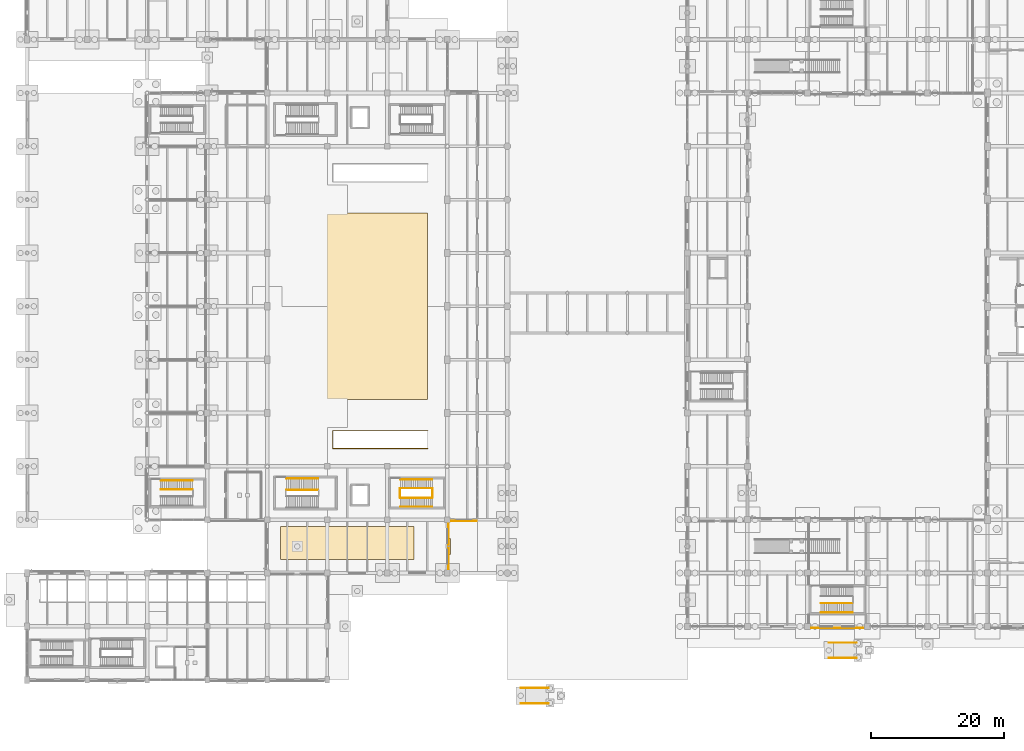
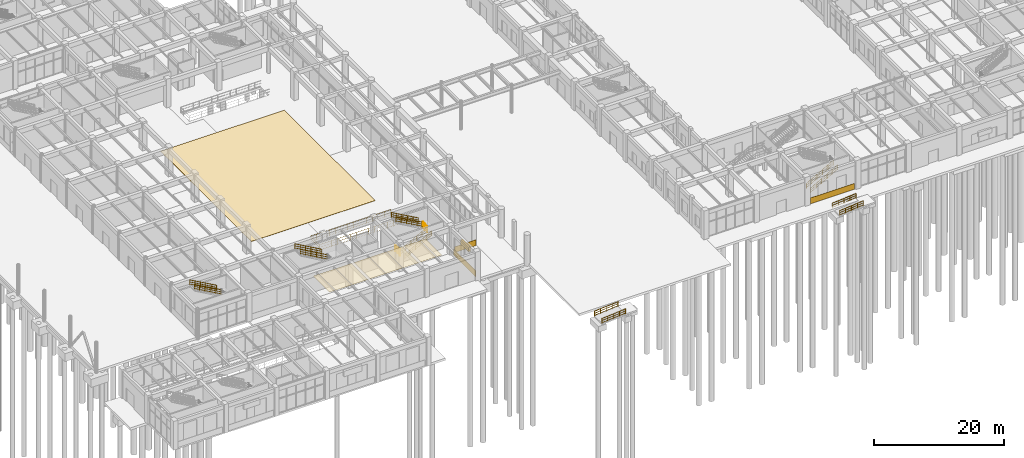
# One storey, part 111 of 121: 17 railings, 5 coverings, 1 shading device.
"""IFC4 building model written with IfcOpenShell, lengths in metres."""

import ifcopenshell
import ifcopenshell.guid

model = None  # the IFC model being written
_history = None  # IfcOwnerHistory: only IFC2X3 demands one
_inside = {}  # id of a spatial element -> (the spatial element, [elements in it])
_under = {}  # id of a project, library or spatial element -> (it, [spatial elements below it])
_declared = {}  # id of a project -> (the project, [libraries it declares])
_typed = {}  # id of a type object -> (the type object, [elements of that type])
_made_of = {}  # id of a material, layer set ... -> (it, [elements and type objects made of it])


def new_model(schema):
    """Start an empty IFC model of exactly this schema.

    Asked for "IFC4X3", IfcOpenShell would pick the latest addendum, in which some entities
    have other attributes; the version numbers below select the first issue.
    IFC2X3 requires an IfcOwnerHistory on every rooted entity: one is made here for all.
    """
    global model, _history
    if schema == "IFC4X3":
        model = ifcopenshell.file(schema_version=(4, 3, 0, 0))
    else:
        model = ifcopenshell.file(schema=schema)
    _inside.clear()
    _under.clear()
    _declared.clear()
    _typed.clear()
    _made_of.clear()
    _history = None
    if model.schema == "IFC2X3":
        org = make("IfcOrganization", Name="unknown")
        user = make(
            "IfcPersonAndOrganization",
            ThePerson=make("IfcPerson", FamilyName="unknown"),
            TheOrganization=org,
        )
        app = make(
            "IfcApplication",
            ApplicationDeveloper=org,
            Version="unknown",
            ApplicationFullName="unknown",
            ApplicationIdentifier="unknown",
        )
        _history = make(
            "IfcOwnerHistory",
            OwningUser=user,
            OwningApplication=app,
            ChangeAction="ADDED",
            CreationDate=0,
        )
    return model


def make(cls, **values):
    """One entity of the class cls with the attributes given. An attribute that is None is left unset."""
    return model.create_entity(
        cls, **{name: value for name, value in values.items() if value is not None}
    )


def rooted(cls, **values):
    """An entity with a GlobalId (a new one), such as an element, a storey or a relation."""
    return make(cls, GlobalId=ifcopenshell.guid.new(), OwnerHistory=_history, **values)


def si_unit(unit_type, name, prefix=None):
    """IfcSIUnit, for example si_unit("LENGTHUNIT", "METRE", prefix="MILLI")."""
    return make("IfcSIUnit", UnitType=unit_type, Prefix=prefix, Name=name)


def derived_unit(unit_type, elements):
    """IfcDerivedUnit: a product of units, each with its exponent."""
    return make(
        "IfcDerivedUnit",
        Elements=[
            make("IfcDerivedUnitElement", Unit=unit, Exponent=power)
            for unit, power in elements
        ],
        UnitType=unit_type,
    )


def assignment(units):
    """IfcUnitAssignment: the units of a project."""
    return None if units is None else make("IfcUnitAssignment", Units=units)


def point(xyz):
    """IfcCartesianPoint."""
    return None if xyz is None else make("IfcCartesianPoint", Coordinates=xyz)


def direction(xyz):
    """IfcDirection."""
    return None if xyz is None else make("IfcDirection", DirectionRatios=xyz)


def frame(location, z_axis=None, x_axis=None):
    """IfcAxis2Placement3D, a coordinate frame: its origin and axes. An axis left out is left unset."""
    return make(
        "IfcAxis2Placement3D",
        Location=point(location),
        Axis=direction(z_axis),
        RefDirection=direction(x_axis),
    )


def frame_2d(location, x_axis=None):
    """IfcAxis2Placement2D, a coordinate frame in the plane: its origin and x axis."""
    return make(
        "IfcAxis2Placement2D", Location=point(location), RefDirection=direction(x_axis)
    )


def origin():
    """The frame at (0, 0, 0) with its axes left unset."""
    return frame((0.0, 0.0, 0.0))


def origin_2d():
    """The frame at (0, 0) in the plane with its x axis left unset."""
    return frame_2d((0.0, 0.0))


def place(relative_to, where):
    """IfcLocalPlacement: puts the frame where relative to a parent placement (None: the world)."""
    return make(
        "IfcLocalPlacement", PlacementRelTo=relative_to, RelativePlacement=where
    )


def context(
    kind, dimensions, precision=None, world=None, true_north=None, identifier=None
):
    """IfcGeometricRepresentationContext, for example the 3D "Model" context."""
    return make(
        "IfcGeometricRepresentationContext",
        ContextIdentifier=identifier,
        ContextType=kind,
        CoordinateSpaceDimension=dimensions,
        Precision=precision,
        WorldCoordinateSystem=world,
        TrueNorth=true_north,
    )


def subcontext(parent, identifier, kind, view, scale=None):
    """IfcGeometricRepresentationSubContext, for example "Body" below "Model"."""
    return make(
        "IfcGeometricRepresentationSubContext",
        ContextIdentifier=identifier,
        ContextType=kind,
        ParentContext=parent,
        TargetScale=scale,
        TargetView=view,
    )


def project(units=None, contexts=None):
    """IfcProject with its units and contexts."""
    return rooted(
        "IfcProject",
        Name="project",
        RepresentationContexts=contexts,
        UnitsInContext=assignment(units),
    )


def spatial(cls, under=None, at=None, **own):
    """A site, building, storey or space (cls), placed at a placement, below another one or the project."""
    s = rooted(cls, ObjectPlacement=at, **own)
    if under is not None:
        _under.setdefault(under.id(), (under, []))[1].append(s)
    return s


def polyline(points):
    """IfcPolyline through the points."""
    return make("IfcPolyline", Points=[point(p) for p in points])


def profile(cls, at=None, kind="AREA", **sizes):
    """A parametric profile (cls). Its sizes go by their IFC names, for example OverallWidth=200.0."""
    return make(cls, ProfileType=kind, Position=at, **sizes)


def rectangle(**sizes):
    """IfcRectangleProfileDef."""
    return profile("IfcRectangleProfileDef", **sizes)


def circle(**sizes):
    """IfcCircleProfileDef."""
    return profile("IfcCircleProfileDef", **sizes)


def outline(outer, holes=None, kind="AREA"):
    """IfcArbitraryClosedProfileDef: a profile drawn as a closed curve; with holes, ...WithVoids."""
    if holes is None:
        return make("IfcArbitraryClosedProfileDef", ProfileType=kind, OuterCurve=outer)
    return make(
        "IfcArbitraryProfileDefWithVoids",
        ProfileType=kind,
        OuterCurve=outer,
        InnerCurves=holes,
    )


def extrude(swept, where, along, depth):
    """IfcExtrudedAreaSolid: the profile swept, set in the frame where, extruded along a direction by depth."""
    return make(
        "IfcExtrudedAreaSolid",
        SweptArea=swept,
        Position=where,
        ExtrudedDirection=direction(along),
        Depth=depth,
    )


def shape(context_of_items, identifier, shape_type, items):
    """IfcShapeRepresentation: the items that make up one representation, for example the "Body"."""
    return make(
        "IfcShapeRepresentation",
        ContextOfItems=context_of_items,
        RepresentationIdentifier=identifier,
        RepresentationType=shape_type,
        Items=items,
    )


def material(Name=None, Category=None):
    """IfcMaterial."""
    return make("IfcMaterial", Name=Name, Category=Category)


def layer(
    of_material, thickness, ventilated=None, Name=None, Category=None, Priority=None
):
    """IfcMaterialLayer: one layer of a wall or slab, of a material (None: an air gap)."""
    return make(
        "IfcMaterialLayer",
        Material=of_material,
        LayerThickness=thickness,
        IsVentilated=ventilated,
        Name=Name,
        Category=Category,
        Priority=Priority,
    )


def layer_set(layers, Name=None):
    """IfcMaterialLayerSet."""
    return make("IfcMaterialLayerSet", MaterialLayers=layers, LayerSetName=Name)


def made_of(thing, what):
    """Note that an element or type object is made of a material, layer set ...; save() writes the relation."""
    if what is not None:
        _made_of.setdefault(what.id(), (what, []))[1].append(thing)
    return thing


def type_object(cls, material=None, **own):
    """A type object (cls), such as IfcWallType, which elements share."""
    return made_of(rooted(cls, **own), material)


def element(
    cls,
    number,
    at=None,
    inside=None,
    cuts=None,
    type_object=None,
    material=None,
    context=None,
    identifier="Body",
    shape_type=None,
    held_by="IfcProductDefinitionShape",
    body=None,
    shapes=None,
    **own,
):
    """One element of the class cls, such as IfcWall. Its Tag is "e" and its number.

    at: its placement. inside: the storey or other place that contains it. cuts: it is an
    opening in that element (IfcRelVoidsElement). A single representation is given by context,
    identifier, shape_type and body (its items); several are given by shapes. held_by: the class
    of the entity that holds the representations. save() writes the other relations.
    """
    e = rooted(cls, Tag="e%d" % number, ObjectPlacement=at, **own)
    if body is not None:
        shapes = [shape(context, identifier, shape_type, body)]
    if shapes is not None:
        e.Representation = make(held_by, Representations=shapes)
    if inside is not None:
        _inside.setdefault(inside.id(), (inside, []))[1].append(e)
    if cuts is not None:
        rooted(
            "IfcRelVoidsElement", RelatingBuildingElement=cuts, RelatedOpeningElement=e
        )
    if type_object is not None:
        _typed.setdefault(type_object.id(), (type_object, []))[1].append(e)
    return made_of(e, material)


def aggregate(whole, parts):
    """IfcRelAggregates: a whole, such as a stair, and the parts it consists of."""
    return rooted("IfcRelAggregates", RelatingObject=whole, RelatedObjects=parts)


def save(model, path):
    """Write the relations noted so far, then the file.

    IfcRelAggregates (storeys below a building ...), IfcRelContainedInSpatialStructure (elements
    in a storey), IfcRelDefinesByType, IfcRelAssociatesMaterial and IfcRelDeclares: one each for
    every whole, place, type object, material and project.
    """
    for whole, parts in _under.values():
        aggregate(whole, parts)
    for where, things in _inside.values():
        rooted(
            "IfcRelContainedInSpatialStructure",
            RelatedElements=things,
            RelatingStructure=where,
        )
    for kind, things in _typed.values():
        rooted("IfcRelDefinesByType", RelatedObjects=things, RelatingType=kind)
    for what, things in _made_of.values():
        rooted("IfcRelAssociatesMaterial", RelatedObjects=things, RelatingMaterial=what)
    for by, libraries in _declared.values():
        rooted("IfcRelDeclares", RelatingContext=by, RelatedDefinitions=libraries)
    model.write(path)


model = new_model("IFC4")

# Units and contexts
model_context = context("Model", 3, precision=1e-05, world=origin(), true_north=direction((0.0, 1.0)))
body_context = subcontext(model_context, "Body", "Model", "MODEL_VIEW")
ifc_project = project(units=[si_unit("LENGTHUNIT", "METRE"), si_unit("AREAUNIT", "SQUARE_METRE"), si_unit("VOLUMEUNIT", "CUBIC_METRE"), si_unit("PLANEANGLEUNIT", "RADIAN"), si_unit("MASSUNIT", "GRAM", prefix="KILO"), derived_unit("THERMALTRANSMITTANCEUNIT", [(si_unit("MASSUNIT", "GRAM", prefix="KILO"), 1), (si_unit("TIMEUNIT", "SECOND"), -3), (si_unit("THERMODYNAMICTEMPERATUREUNIT", "KELVIN"), -1)])], contexts=[model_context])

# Site, building, storey
site_placement = place(None, origin())
site = spatial("IfcSite", under=ifc_project, at=site_placement, CompositionType="ELEMENT")
building_placement = place(site_placement, origin())
building = spatial("IfcBuilding", under=site, at=building_placement, Name="Zhenchuan Archway Interchange", CompositionType="ELEMENT")
storey_placement = place(building_placement, origin())
storey = spatial("IfcBuildingStorey", under=building, at=storey_placement, Name="L00", CompositionType="ELEMENT", Elevation=0.0)

# Coverings
ifc_material_1 = material(Name="Granite Stone Cladding", Category="masonry")
ifc_layer_1 = layer(ifc_material_1, 0.0400390625)
ifc_layer_set_1 = layer_set([ifc_layer_1], Name="Granite Stone Cladding")
covering_type_1 = type_object("IfcCoveringType", Name="COV_CLAD_GRANITE", PredefinedType="CLADDING", material=ifc_layer_set_1)
covering_1_placement = place(storey_placement, frame((65.4814453125, 23.802001953125, 0.0), z_axis=(0.0, 0.0, 1.0), x_axis=(-1.0, 0.0, 0.0)))
element("IfcCovering", 1, at=covering_1_placement, inside=storey, type_object=covering_type_1, Name="Pearl-grey granite plinth band 040", PredefinedType="CLADDING", context=body_context, shape_type="SweptSolid", body=[
    extrude(rectangle(XDim=3.81689453125, YDim=0.0400390625, at=origin_2d()), origin(), (0.0, 0.0, 1.0), 1.10009765625),
])
covering_2_placement = place(storey_placement, frame((63.197998046875, 20.0, 0.0), z_axis=(0.0, 0.0, 1.0), x_axis=(0.0, -1.0, 0.0)))
element("IfcCovering", 2, at=covering_2_placement, inside=storey, type_object=covering_type_1, Name="Pearl-grey granite plinth band 041", PredefinedType="CLADDING", context=body_context, shape_type="SweptSolid", body=[
    extrude(rectangle(XDim=6.85400390625, YDim=0.0400390625, at=origin_2d()), origin(), (0.0, 0.0, 1.0), 1.10009765625),
])
covering_3_placement = place(storey_placement, frame((121.5, 7.77197265625, 0.0), z_axis=(0.0, 0.0, 1.0), x_axis=(-1.0, 0.0, 0.0)))
element("IfcCovering", 3, at=covering_3_placement, inside=storey, type_object=covering_type_1, Name="Pearl-grey granite plinth band 082", PredefinedType="CLADDING", context=body_context, shape_type="SweptSolid", body=[
    extrude(rectangle(XDim=7.803955078125, YDim=0.0400390625, at=origin_2d()), origin(), (0.0, 0.0, 1.0), 1.10009765625),
])
ifc_material_2 = material(Name="Anodised Aluminium", Category="aluminium")
ifc_layer_2 = layer(ifc_material_2, 0.02490234375)
ifc_layer_set_2 = layer_set([ifc_layer_2], Name="Anodised Aluminium")
covering_type_2 = type_object("IfcCoveringType", Name="COV_CLG_ACOUSTIC", PredefinedType="CEILING", material=ifc_layer_set_2)
covering_4_placement = place(storey_placement, frame((0.0, 0.0, 5.02490234375)))
element("IfcCovering", 4, at=covering_4_placement, inside=storey, type_object=covering_type_2, Name="Suspended acoustic ceiling grid 02 (L00)", PredefinedType="CEILING", context=body_context, shape_type="SweptSolid", body=[
    extrude(outline(polyline([(38.0, 18.0), (58.0, 18.0), (58.0, 23.0), (38.0, 23.0), (38.0, 18.0)])), origin(), (0.0, 0.0, 1.0), 0.025146484375),
])
ifc_layer_3 = layer(ifc_material_1, 0.030029296875)
ifc_layer_set_3 = layer_set([ifc_layer_3], Name="Granite Stone Cladding")
covering_type_3 = type_object("IfcCoveringType", Name="COV_FLR_GRANITE", PredefinedType="FLOORING", material=ifc_layer_set_3)
covering_5_placement = place(storey_placement, origin())
element("IfcCovering", 5, at=covering_5_placement, inside=storey, type_object=covering_type_3, Name="Concourse floor finish panel 03 (L00)", PredefinedType="FLOORING", context=body_context, shape_type="SweptSolid", body=[
    extrude(outline(polyline([(38.0, 42.0), (60.0, 42.0), (60.0, 70.0), (38.0, 70.0), (38.0, 42.0)])), origin(), (0.0, 0.0, 1.0), 0.030029296875),
])

# Railings
ifc_material_3 = material(Name="Painted Galvanised Steel", Category="steel")
railing_type_1 = type_object("IfcRailingType", Name="RL_GUARD_1150", PredefinedType="GUARDRAIL", material=ifc_material_3)
for number, where, name in (
    (6, (60.784912109375, 27.31494140625, 2.699951171875), "Stair ST-M3 half-landing slot guard (L00)"),
    (7, (55.925048828125, 27.31494140625, 0.0), "Stair ST-M3 floor well guard (L00)"),
):
    element("IfcRailing", number, at=place(storey_placement, frame(where)), inside=storey, type_object=railing_type_1, Name=name, PredefinedType="GUARDRAIL", context=body_context, shape_type="SweptSolid", body=[
        extrude(circle(Radius=0.02392578125, at=origin_2d()), frame((0.0, 0.0, 1.1259765625), z_axis=(0.0, 1.0, 0.0), x_axis=(-1.0, 0.0, 0.0)), (0.0, 0.0, 1.0), 1.3701171875),
        extrude(circle(Radius=0.01611328125, at=origin_2d()), frame((0.0, 0.0, 0.63232421875), z_axis=(0.0, 1.0, 0.0), x_axis=(-1.0, 0.0, 0.0)), (0.0, 0.0, 1.0), 1.3701171875),
        extrude(circle(Radius=0.01611328125, at=origin_2d()), frame((0.0, 0.0, 0.1201171875), z_axis=(0.0, 1.0, 0.0), x_axis=(-1.0, 0.0, 0.0)), (0.0, 0.0, 1.0), 1.3701171875),
        extrude(circle(Radius=0.02099609375, at=origin_2d()), origin(), (0.0, 0.0, 1.0), 1.1259765625),
        extrude(circle(Radius=0.02099609375, at=origin_2d()), frame((0.0, 0.68505859375, 0.0)), (0.0, 0.0, 1.0), 1.1259765625),
        extrude(circle(Radius=0.02099609375, at=origin_2d()), frame((0.0, 1.3701171875, 0.0)), (0.0, 0.0, 1.0), 1.1259765625),
    ])
railing_placement = place(storey_placement, frame((60.080078125, 34.655029296875, 0.0)))
element("IfcRailing", 8, at=railing_placement, inside=storey, type_object=railing_type_1, Name="Stair ST-P3 void perimeter guard (L00)", PredefinedType="GUARDRAIL", context=body_context, shape_type="SweptSolid", body=[
    extrude(circle(Radius=0.02392578125, at=origin_2d()), frame((0.0, 0.0, 1.1259765625), z_axis=(-1.0, 0.0, 0.0), x_axis=(0.0, -1.0, 0.0)), (0.0, 0.0, 1.0), 14.260009765625),
    extrude(circle(Radius=0.01611328125, at=origin_2d()), frame((0.0, 0.0, 0.63232421875), z_axis=(-1.0, 0.0, 0.0), x_axis=(0.0, -1.0, 0.0)), (0.0, 0.0, 1.0), 14.260009765625),
    extrude(circle(Radius=0.01611328125, at=origin_2d()), frame((0.0, 0.0, 0.1201171875), z_axis=(-1.0, 0.0, 0.0), x_axis=(0.0, -1.0, 0.0)), (0.0, 0.0, 1.0), 14.260009765625),
    extrude(circle(Radius=0.02392578125, at=origin_2d()), frame((-14.260009765625, 0.0, 1.1259765625), z_axis=(0.0, 1.0, 0.0), x_axis=(-1.0, 0.0, 0.0)), (0.0, 0.0, 1.0), 2.68994140625),
    extrude(circle(Radius=0.01611328125, at=origin_2d()), frame((-14.260009765625, 0.0, 0.63232421875), z_axis=(0.0, 1.0, 0.0), x_axis=(-1.0, 0.0, 0.0)), (0.0, 0.0, 1.0), 2.68994140625),
    extrude(circle(Radius=0.01611328125, at=origin_2d()), frame((-14.260009765625, 0.0, 0.1201171875), z_axis=(0.0, 1.0, 0.0), x_axis=(-1.0, 0.0, 0.0)), (0.0, 0.0, 1.0), 2.68994140625),
    extrude(circle(Radius=0.02392578125, at=origin_2d()), frame((-14.260009765625, 2.68994140625, 1.1259765625), z_axis=(1.0, 0.0, 0.0), x_axis=(0.0, 1.0, 0.0)), (0.0, 0.0, 1.0), 14.260009765625),
    extrude(circle(Radius=0.01611328125, at=origin_2d()), frame((-14.260009765625, 2.68994140625, 0.63232421875), z_axis=(1.0, 0.0, 0.0), x_axis=(0.0, 1.0, 0.0)), (0.0, 0.0, 1.0), 14.260009765625),
    extrude(circle(Radius=0.01611328125, at=origin_2d()), frame((-14.260009765625, 2.68994140625, 0.1201171875), z_axis=(1.0, 0.0, 0.0), x_axis=(0.0, 1.0, 0.0)), (0.0, 0.0, 1.0), 14.260009765625),
    extrude(circle(Radius=0.02099609375, at=origin_2d()), origin(), (0.0, 0.0, 1.0), 1.1259765625),
    extrude(circle(Radius=0.02099609375, at=origin_2d()), frame((-1.096923828125, 0.0, 0.0)), (0.0, 0.0, 1.0), 1.1259765625),
    extrude(circle(Radius=0.02099609375, at=origin_2d()), frame((-2.19384765625, 0.0, 0.0)), (0.0, 0.0, 1.0), 1.1259765625),
    extrude(circle(Radius=0.02099609375, at=origin_2d()), frame((-3.290771484375, 0.0, 0.0)), (0.0, 0.0, 1.0), 1.1259765625),
    extrude(circle(Radius=0.02099609375, at=origin_2d()), frame((-4.3876953125, 0.0, 0.0)), (0.0, 0.0, 1.0), 1.1259765625),
    extrude(circle(Radius=0.02099609375, at=origin_2d()), frame((-5.484619140625, 0.0, 0.0)), (0.0, 0.0, 1.0), 1.1259765625),
    extrude(circle(Radius=0.02099609375, at=origin_2d()), frame((-6.58154296875, 0.0, 0.0)), (0.0, 0.0, 1.0), 1.1259765625),
    extrude(circle(Radius=0.02099609375, at=origin_2d()), frame((-7.678466796875, 0.0, 0.0)), (0.0, 0.0, 1.0), 1.1259765625),
    extrude(circle(Radius=0.02099609375, at=origin_2d()), frame((-8.775390625, 0.0, 0.0)), (0.0, 0.0, 1.0), 1.1259765625),
    extrude(circle(Radius=0.02099609375, at=origin_2d()), frame((-9.872314453125, 0.0, 0.0)), (0.0, 0.0, 1.0), 1.1259765625),
    extrude(circle(Radius=0.02099609375, at=origin_2d()), frame((-10.96923828125, 0.0, 0.0)), (0.0, 0.0, 1.0), 1.1259765625),
    extrude(circle(Radius=0.02099609375, at=origin_2d()), frame((-12.066162109375, 0.0, 0.0)), (0.0, 0.0, 1.0), 1.1259765625),
    extrude(circle(Radius=0.02099609375, at=origin_2d()), frame((-13.1630859375, 0.0, 0.0)), (0.0, 0.0, 1.0), 1.1259765625),
    extrude(circle(Radius=0.02099609375, at=origin_2d()), frame((-14.260009765625, 0.0, 0.0)), (0.0, 0.0, 1.0), 1.1259765625),
    extrude(circle(Radius=0.02099609375, at=origin_2d()), frame((-14.260009765625, 0.896728515625, 0.0)), (0.0, 0.0, 1.0), 1.1259765625),
    extrude(circle(Radius=0.02099609375, at=origin_2d()), frame((-14.260009765625, 1.793212890625, 0.0)), (0.0, 0.0, 1.0), 1.1259765625),
    extrude(circle(Radius=0.02099609375, at=origin_2d()), frame((-14.260009765625, 2.68994140625, 0.0)), (0.0, 0.0, 1.0), 1.1259765625),
    extrude(circle(Radius=0.02099609375, at=origin_2d()), frame((-13.1630859375, 2.68994140625, 0.0)), (0.0, 0.0, 1.0), 1.1259765625),
    extrude(circle(Radius=0.02099609375, at=origin_2d()), frame((-12.066162109375, 2.68994140625, 0.0)), (0.0, 0.0, 1.0), 1.1259765625),
    extrude(circle(Radius=0.02099609375, at=origin_2d()), frame((-10.96923828125, 2.68994140625, 0.0)), (0.0, 0.0, 1.0), 1.1259765625),
    extrude(circle(Radius=0.02099609375, at=origin_2d()), frame((-9.872314453125, 2.68994140625, 0.0)), (0.0, 0.0, 1.0), 1.1259765625),
    extrude(circle(Radius=0.02099609375, at=origin_2d()), frame((-8.775390625, 2.68994140625, 0.0)), (0.0, 0.0, 1.0), 1.1259765625),
    extrude(circle(Radius=0.02099609375, at=origin_2d()), frame((-7.678466796875, 2.68994140625, 0.0)), (0.0, 0.0, 1.0), 1.1259765625),
    extrude(circle(Radius=0.02099609375, at=origin_2d()), frame((-6.58154296875, 2.68994140625, 0.0)), (0.0, 0.0, 1.0), 1.1259765625),
    extrude(circle(Radius=0.02099609375, at=origin_2d()), frame((-5.484619140625, 2.68994140625, 0.0)), (0.0, 0.0, 1.0), 1.1259765625),
    extrude(circle(Radius=0.02099609375, at=origin_2d()), frame((-4.3876953125, 2.68994140625, 0.0)), (0.0, 0.0, 1.0), 1.1259765625),
    extrude(circle(Radius=0.02099609375, at=origin_2d()), frame((-3.290771484375, 2.68994140625, 0.0)), (0.0, 0.0, 1.0), 1.1259765625),
    extrude(circle(Radius=0.02099609375, at=origin_2d()), frame((-2.19384765625, 2.68994140625, 0.0)), (0.0, 0.0, 1.0), 1.1259765625),
    extrude(circle(Radius=0.02099609375, at=origin_2d()), frame((-1.096923828125, 2.68994140625, 0.0)), (0.0, 0.0, 1.0), 1.1259765625),
    extrude(circle(Radius=0.02099609375, at=origin_2d()), frame((0.0, 2.68994140625, 0.0)), (0.0, 0.0, 1.0), 1.1259765625),
])
ifc_material_4 = material(Name="Stainless Steel 304", Category="steel")
railing_type_2 = type_object("IfcRailingType", Name="RL_HAND_920", PredefinedType="HANDRAIL", material=ifc_material_4)
for number, where, name in (
    (9, (43.655029296875, 28.47509765625, 2.85009765625), "Stair ST-M1 handrail 3 (L00)"),
    (10, (43.655029296875, 30.195068359375, 2.85009765625), "Stair ST-M1 handrail 4 (L00)"),
):
    element("IfcRailing", number, at=place(storey_placement, frame(where)), inside=storey, type_object=railing_type_2, Name=name, PredefinedType="HANDRAIL", context=body_context, shape_type="SweptSolid", body=[
        extrude(circle(Radius=0.02392578125, at=origin_2d()), frame((0.0, 0.0, 0.89599609375), z_axis=(-0.870703607627, 0.0, 0.49180812078), x_axis=(0.0, -1.0, 0.0)), (0.0, 0.0, 1.0), 5.48974609375),
        extrude(circle(Radius=0.01611328125, at=origin_2d()), frame((0.0, 0.0, 0.505859375), z_axis=(-0.870703607627, 0.0, 0.49180812078), x_axis=(0.0, -1.0, 0.0)), (0.0, 0.0, 1.0), 5.48974609375),
        extrude(circle(Radius=0.01611328125, at=origin_2d()), frame((0.0, 0.0, 0.1201171875), z_axis=(-0.870703607627, 0.0, 0.49180812078), x_axis=(0.0, -1.0, 0.0)), (0.0, 0.0, 1.0), 5.48974609375),
        extrude(circle(Radius=0.02099609375, at=origin_2d()), origin(), (0.0, 0.0, 1.0), 0.89599609375),
        extrude(circle(Radius=0.02099609375, at=origin_2d()), frame((-0.9560546875, 0.0, 0.5400390625)), (0.0, 0.0, 1.0), 0.89599609375),
        extrude(circle(Radius=0.02099609375, at=origin_2d()), frame((-1.912109375, 0.0, 1.080078125)), (0.0, 0.0, 1.0), 0.89599609375),
        extrude(circle(Radius=0.02099609375, at=origin_2d()), frame((-2.867919921875, 0.0, 1.619873046875)), (0.0, 0.0, 1.0), 0.89599609375),
        extrude(circle(Radius=0.02099609375, at=origin_2d()), frame((-3.823974609375, 0.0, 2.159912109375)), (0.0, 0.0, 1.0), 0.89599609375),
        extrude(circle(Radius=0.02099609375, at=origin_2d()), frame((-4.780029296875, 0.0, 2.699951171875)), (0.0, 0.0, 1.0), 0.89599609375),
    ])
for number, where, name in (
    (11, (55.965087890625, 25.955078125, 0.14990234375), "Stair ST-M3 handrail 1 (L00)"),
    (12, (55.965087890625, 27.27490234375, 0.14990234375), "Stair ST-M3 handrail 2 (L00)"),
):
    element("IfcRailing", number, at=place(storey_placement, frame(where)), inside=storey, type_object=railing_type_2, Name=name, PredefinedType="HANDRAIL", context=body_context, shape_type="SweptSolid", body=[
        extrude(circle(Radius=0.02392578125, at=origin_2d()), frame((0.0, 0.0, 0.89599609375), z_axis=(0.87068456393, 0.0, 0.491841834469), x_axis=(0.0, 1.0, 0.0)), (0.0, 0.0, 1.0), 5.489990234375),
        extrude(circle(Radius=0.01611328125, at=origin_2d()), frame((0.0, 0.0, 0.505859375), z_axis=(0.87068456393, 0.0, 0.491841834469), x_axis=(0.0, 1.0, 0.0)), (0.0, 0.0, 1.0), 5.489990234375),
        extrude(circle(Radius=0.01611328125, at=origin_2d()), frame((0.0, 0.0, 0.1201171875), z_axis=(0.87068456393, 0.0, 0.491841834469), x_axis=(0.0, 1.0, 0.0)), (0.0, 0.0, 1.0), 5.489990234375),
        extrude(circle(Radius=0.02099609375, at=origin_2d()), origin(), (0.0, 0.0, 1.0), 0.89599609375),
        extrude(circle(Radius=0.02099609375, at=origin_2d()), frame((0.9560546875, 0.0, 0.5400390625)), (0.0, 0.0, 1.0), 0.89599609375),
        extrude(circle(Radius=0.02099609375, at=origin_2d()), frame((1.912109375, 0.0, 1.080078125)), (0.0, 0.0, 1.0), 0.89599609375),
        extrude(circle(Radius=0.02099609375, at=origin_2d()), frame((2.867919921875, 0.0, 1.6201171875)), (0.0, 0.0, 1.0), 0.89599609375),
        extrude(circle(Radius=0.02099609375, at=origin_2d()), frame((3.823974609375, 0.0, 2.16015625)), (0.0, 0.0, 1.0), 0.89599609375),
        extrude(circle(Radius=0.02099609375, at=origin_2d()), frame((4.780029296875, 0.0, 2.7001953125)), (0.0, 0.0, 1.0), 0.89599609375),
    ])
for number, where, name in (
    (13, (60.7451171875, 28.72509765625, 2.85009765625), "Stair ST-M3 handrail 3 (L00)"),
    (14, (60.7451171875, 30.044921875, 2.85009765625), "Stair ST-M3 handrail 4 (L00)"),
    (15, (24.804931640625, 28.52490234375, 2.85009765625), "Stair ST-B1 handrail 3 (L00)"),
    (16, (24.804931640625, 29.89501953125, 2.85009765625), "Stair ST-B1 handrail 4 (L00)"),
):
    element("IfcRailing", number, at=place(storey_placement, frame(where)), inside=storey, type_object=railing_type_2, Name=name, PredefinedType="HANDRAIL", context=body_context, shape_type="SweptSolid", body=[
        extrude(circle(Radius=0.02392578125, at=origin_2d()), frame((0.0, 0.0, 0.89599609375), z_axis=(-0.870703607627, 0.0, 0.49180812078), x_axis=(0.0, -1.0, 0.0)), (0.0, 0.0, 1.0), 5.48974609375),
        extrude(circle(Radius=0.01611328125, at=origin_2d()), frame((0.0, 0.0, 0.505859375), z_axis=(-0.870703607627, 0.0, 0.49180812078), x_axis=(0.0, -1.0, 0.0)), (0.0, 0.0, 1.0), 5.48974609375),
        extrude(circle(Radius=0.01611328125, at=origin_2d()), frame((0.0, 0.0, 0.1201171875), z_axis=(-0.870703607627, 0.0, 0.49180812078), x_axis=(0.0, -1.0, 0.0)), (0.0, 0.0, 1.0), 5.48974609375),
        extrude(circle(Radius=0.02099609375, at=origin_2d()), origin(), (0.0, 0.0, 1.0), 0.89599609375),
        extrude(circle(Radius=0.02099609375, at=origin_2d()), frame((-0.9560546875, 0.0, 0.5400390625)), (0.0, 0.0, 1.0), 0.89599609375),
        extrude(circle(Radius=0.02099609375, at=origin_2d()), frame((-1.912109375, 0.0, 1.080078125)), (0.0, 0.0, 1.0), 0.89599609375),
        extrude(circle(Radius=0.02099609375, at=origin_2d()), frame((-2.867919921875, 0.0, 1.619873046875)), (0.0, 0.0, 1.0), 0.89599609375),
        extrude(circle(Radius=0.02099609375, at=origin_2d()), frame((-3.823974609375, 0.0, 2.159912109375)), (0.0, 0.0, 1.0), 0.89599609375),
        extrude(circle(Radius=0.02099609375, at=origin_2d()), frame((-4.780029296875, 0.0, 2.699951171875)), (0.0, 0.0, 1.0), 0.89599609375),
    ])
for number, where, name in (
    (17, (119.02490234375, 10.10498046875, 0.14990234375), "Stair ST-O5 handrail 1 (L00)"),
    (18, (119.02490234375, 11.47509765625, 0.14990234375), "Stair ST-O5 handrail 2 (L00)"),
):
    element("IfcRailing", number, at=place(storey_placement, frame(where)), inside=storey, type_object=railing_type_2, Name=name, PredefinedType="HANDRAIL", context=body_context, shape_type="SweptSolid", body=[
        extrude(circle(Radius=0.02392578125, at=origin_2d()), frame((0.0, 0.0, 0.89599609375), z_axis=(0.87068456393, 0.0, 0.491841834469), x_axis=(0.0, 1.0, 0.0)), (0.0, 0.0, 1.0), 5.489990234375),
        extrude(circle(Radius=0.01611328125, at=origin_2d()), frame((0.0, 0.0, 0.505859375), z_axis=(0.87068456393, 0.0, 0.491841834469), x_axis=(0.0, 1.0, 0.0)), (0.0, 0.0, 1.0), 5.489990234375),
        extrude(circle(Radius=0.01611328125, at=origin_2d()), frame((0.0, 0.0, 0.1201171875), z_axis=(0.87068456393, 0.0, 0.491841834469), x_axis=(0.0, 1.0, 0.0)), (0.0, 0.0, 1.0), 5.489990234375),
        extrude(circle(Radius=0.02099609375, at=origin_2d()), origin(), (0.0, 0.0, 1.0), 0.89599609375),
        extrude(circle(Radius=0.02099609375, at=origin_2d()), frame((0.9560546875, 0.0, 0.5400390625)), (0.0, 0.0, 1.0), 0.89599609375),
        extrude(circle(Radius=0.02099609375, at=origin_2d()), frame((1.912109375, 0.0, 1.080078125)), (0.0, 0.0, 1.0), 0.89599609375),
        extrude(circle(Radius=0.02099609375, at=origin_2d()), frame((2.867919921875, 0.0, 1.6201171875)), (0.0, 0.0, 1.0), 0.89599609375),
        extrude(circle(Radius=0.02099609375, at=origin_2d()), frame((3.823974609375, 0.0, 2.16015625)), (0.0, 0.0, 1.0), 0.89599609375),
        extrude(circle(Radius=0.02099609375, at=origin_2d()), frame((4.780029296875, 0.0, 2.7001953125)), (0.0, 0.0, 1.0), 0.89599609375),
    ])
for number, where, name in (
    (19, (74.0, -3.5400390625, -0.35009765625), "RMP-A1 handrail 1"),
    (20, (74.0, -1.260009765625, -0.35009765625), "RMP-A1 handrail 2"),
    (21, (120.199951171875, 3.260009765625, -0.35009765625), "RMP-A3 handrail 1"),
    (22, (120.199951171875, 5.5400390625, -0.35009765625), "RMP-A3 handrail 2"),
):
    element("IfcRailing", number, at=place(storey_placement, frame(where)), inside=storey, type_object=railing_type_2, Name=name, PredefinedType="HANDRAIL", context=body_context, shape_type="SweptSolid", body=[
        extrude(circle(Radius=0.02392578125, at=origin_2d()), frame((0.0, 0.0, 0.89599609375), z_axis=(0.996543760423, 0.0, 0.083069450238), x_axis=(0.0, 1.0, 0.0)), (0.0, 0.0, 1.0), 4.214599609375),
        extrude(circle(Radius=0.01611328125, at=origin_2d()), frame((0.0, 0.0, 0.505859375), z_axis=(0.996543760423, 0.0, 0.083069450238), x_axis=(0.0, 1.0, 0.0)), (0.0, 0.0, 1.0), 4.214599609375),
        extrude(circle(Radius=0.01611328125, at=origin_2d()), frame((0.0, 0.0, 0.1201171875), z_axis=(0.996543760423, 0.0, 0.083069450238), x_axis=(0.0, 1.0, 0.0)), (0.0, 0.0, 1.0), 4.214599609375),
        extrude(circle(Radius=0.02099609375, at=origin_2d()), origin(), (0.0, 0.0, 1.0), 0.89599609375),
        extrude(circle(Radius=0.02099609375, at=origin_2d()), frame((1.050048828125, 0.0, 0.08740234375)), (0.0, 0.0, 1.0), 0.89599609375),
        extrude(circle(Radius=0.02099609375, at=origin_2d()), frame((2.10009765625, 0.0, 0.175048828125)), (0.0, 0.0, 1.0), 0.89599609375),
        extrude(circle(Radius=0.02099609375, at=origin_2d()), frame((3.14990234375, 0.0, 0.2626953125)), (0.0, 0.0, 1.0), 0.89599609375),
        extrude(circle(Radius=0.02099609375, at=origin_2d()), frame((4.199951171875, 0.0, 0.35009765625)), (0.0, 0.0, 1.0), 0.89599609375),
    ])

# Shading device
shading_device_type = type_object("IfcShadingDeviceType", Name="SHD_LOUVRE_2", PredefinedType="JALOUSIE", material=ifc_material_2)
shading_device_placement = place(storey_placement, frame((63.343994140625, 20.0, 3.324951171875), z_axis=(0.0, 0.0, 1.0), x_axis=(0.0, -1.0, 0.0)))
element("IfcShadingDevice", 23, at=shading_device_placement, inside=storey, type_object=shading_device_type, Name="Monsoon storm-louvre jalousie L00-007", PredefinedType="JALOUSIE", context=body_context, shape_type="SweptSolid", body=[
    extrude(rectangle(XDim=2.39990234375, YDim=0.340087890625, at=origin_2d()), origin(), (0.0, 0.0, 1.0), 0.85009765625),
])

save(model, "model.ifc")
